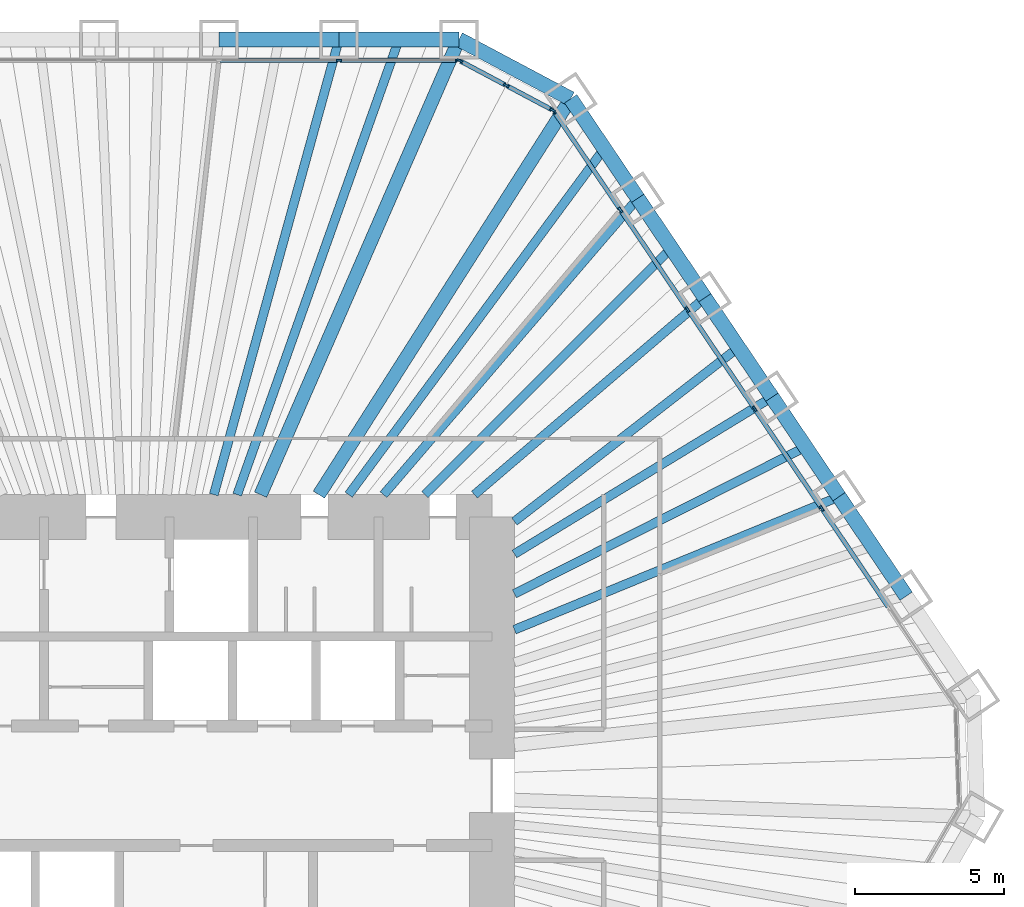
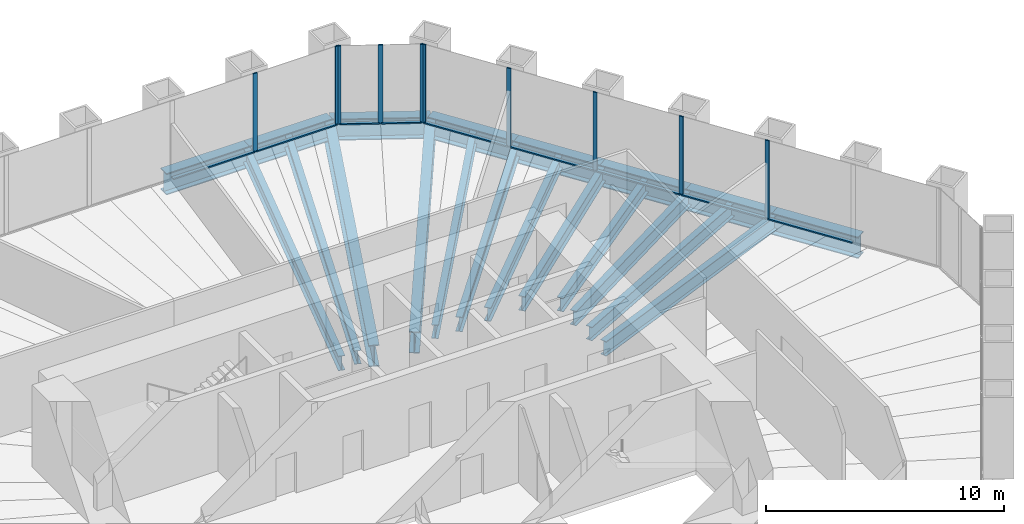
# One storey, part 7 of 13: 20 beams, 19 members, 3 elements without a shape of their own.
"""IFC4 building model written with IfcOpenShell, lengths in metres."""

from ifc_helpers import new_model, si_unit, direction, frame, origin, origin_2d, place, context, subcontext, project, spatial, rectangle, i_section, extrude, material, material_profile, profile_set, type_object, element, aggregate, save


model = new_model("IFC4")

# Units and contexts
model_context = context("Model", 3, precision=1e-05, world=origin(), true_north=direction((0.0, 1.0)))
body_context = subcontext(model_context, "Body", "Model", "MODEL_VIEW")
ifc_project = project(units=[si_unit("LENGTHUNIT", "METRE"), si_unit("AREAUNIT", "SQUARE_METRE"), si_unit("VOLUMEUNIT", "CUBIC_METRE"), si_unit("PLANEANGLEUNIT", "RADIAN"), si_unit("MASSUNIT", "GRAM", prefix="KILO")], contexts=[model_context])

# Site, building, storey
site_placement = place(None, origin())
site = spatial("IfcSite", under=ifc_project, at=site_placement, CompositionType="ELEMENT")
building_placement = place(site_placement, origin())
building = spatial("IfcBuilding", under=site, at=building_placement, Name="Qingtian Harvest Tower", CompositionType="ELEMENT")
storey_placement = place(building_placement, frame((0.0, 0.0, 166.0)))
storey = spatial("IfcBuildingStorey", under=building, at=storey_placement, Name="L35", CompositionType="ELEMENT", Elevation=166.0)

# Beams
ifc_material_1 = material(Name="Steel SM570MC", Category="steel")
ifc_material_profile_1 = material_profile(ifc_material_1, i_section(OverallWidth=0.449951171875, OverallDepth=1.10009765625, WebThickness=0.02197265625, FlangeThickness=0.044921875, at=origin_2d()), Name="H1100x450x22x45")
ifc_profile_set_1 = profile_set([ifc_material_profile_1], Name="Steel SM570MC")
beam_type_1 = type_object("IfcBeamType", Name="Corner floor beam FB8 H1100x450x22x45", PredefinedType="BEAM", material=ifc_profile_set_1)
beam_1_placement = place(storey_placement, frame((10.892822265625, 25.0, -0.719970703125), z_axis=(-0.399451016538, -0.916754539333, 0.0), x_axis=(0.916754539333, -0.399451016538, 0.0)))
element("IfcBeam", 1, at=beam_1_placement, inside=storey, type_object=beam_type_1, Name="Floor beam FB8 N6", PredefinedType="BEAM", context=body_context, shape_type="SweptSolid", body=[
    extrude(i_section(OverallWidth=0.449951171875, OverallDepth=1.10009765625, WebThickness=0.02197265625, FlangeThickness=0.044921875, at=origin_2d()), origin(), (0.0, 0.0, 1.0), 16.634765625),
])
beam_2_placement = place(storey_placement, frame((14.634765625, 23.01025390625, -0.719970703125), z_axis=(-0.536660352939, -0.843798355997, 0.0), x_axis=(0.843798355997, -0.536660352939, 0.0)))
element("IfcBeam", 2, at=beam_2_placement, inside=storey, type_object=beam_type_1, Name="Floor beam FB8 NE0", PredefinedType="BEAM", context=body_context, shape_type="SweptSolid", body=[
    extrude(i_section(OverallWidth=0.449951171875, OverallDepth=1.10009765625, WebThickness=0.02197265625, FlangeThickness=0.044921875, at=origin_2d()), origin(), (0.0, 0.0, 1.0), 15.71484375),
])
ifc_material_2 = material(Name="Steel SN490B", Category="steel")
ifc_material_profile_2 = material_profile(ifc_material_2, i_section(OverallWidth=0.300048828125, OverallDepth=0.75, WebThickness=0.013916015625, FlangeThickness=0.02490234375, at=origin_2d()), Name="H750x300x14x25")
ifc_profile_set_2 = profile_set([ifc_material_profile_2], Name="Steel SN490B")
beam_type_2 = type_object("IfcBeamType", Name="Floor beam FB12 H750x300x14x25", PredefinedType="BEAM", material=ifc_profile_set_2)
beam_3_placement = place(storey_placement, frame((6.873779296875, 25.0, -0.544921875), z_axis=(-0.265119170108, -0.964215653078, 0.0), x_axis=(0.964215653078, -0.265119170108, 0.0)))
element("IfcBeam", 3, at=beam_3_placement, inside=storey, type_object=beam_type_2, Name="Floor beam FB12 N5", PredefinedType="BEAM", context=body_context, shape_type="SweptSolid", body=[
    extrude(i_section(OverallWidth=0.300048828125, OverallDepth=0.75, WebThickness=0.013916015625, FlangeThickness=0.02490234375, at=origin_2d()), origin(), (0.0, 0.0, 1.0), 15.81591796875),
])
beam_4_placement = place(storey_placement, frame((16.88232421875, 19.67822265625, -0.544921875), z_axis=(-0.651140196702, -0.758957471957, 0.0), x_axis=(0.758957471957, -0.651140196702, 0.0)))
element("IfcBeam", 4, at=beam_4_placement, inside=storey, type_object=beam_type_2, Name="Floor beam FB12 NE1", PredefinedType="BEAM", context=body_context, shape_type="SweptSolid", body=[
    extrude(i_section(OverallWidth=0.300048828125, OverallDepth=0.75, WebThickness=0.013916015625, FlangeThickness=0.02490234375, at=origin_2d()), origin(), (0.0, 0.0, 1.0), 13.081298828125),
])
beam_5_placement = place(storey_placement, frame((19.129638671875, 16.346435546875, -0.544921875), z_axis=(-0.760241810635, -0.649640199928, 0.0), x_axis=(0.649640199928, -0.760241810635, 0.0)))
element("IfcBeam", 5, at=beam_5_placement, inside=storey, type_object=beam_type_2, Name="Floor beam FB12 NE2", PredefinedType="BEAM", context=body_context, shape_type="SweptSolid", body=[
    extrude(i_section(OverallWidth=0.300048828125, OverallDepth=0.75, WebThickness=0.013916015625, FlangeThickness=0.02490234375, at=origin_2d()), origin(), (0.0, 0.0, 1.0), 10.154052734375),
])
beam_6_placement = place(storey_placement, frame((21.377197265625, 13.014404296875, -0.544921875), z_axis=(-0.854160745245, -0.520009058846, 0.0), x_axis=(0.520009058846, -0.854160745245, 0.0)))
element("IfcBeam", 6, at=beam_6_placement, inside=storey, type_object=beam_type_2, Name="Floor beam FB12 NE3", PredefinedType="BEAM", context=body_context, shape_type="SweptSolid", body=[
    extrude(i_section(OverallWidth=0.300048828125, OverallDepth=0.75, WebThickness=0.013916015625, FlangeThickness=0.02490234375, at=origin_2d()), origin(), (0.0, 0.0, 1.0), 10.10009765625),
])
beam_7_placement = place(storey_placement, frame((23.62451171875, 9.682373046875, -0.544921875), z_axis=(-0.925304541163, -0.379224875375, 0.0), x_axis=(0.379224875375, -0.925304541163, 0.0)))
element("IfcBeam", 7, at=beam_7_placement, inside=storey, type_object=beam_type_2, Name="Floor beam FB12 NE4", PredefinedType="BEAM", context=body_context, shape_type="SweptSolid", body=[
    extrude(i_section(OverallWidth=0.300048828125, OverallDepth=0.75, WebThickness=0.013916015625, FlangeThickness=0.02490234375, at=origin_2d()), origin(), (0.0, 0.0, 1.0), 11.75244140625),
])
ifc_material_3 = material(Name="Steel SN490B", Category="steel")
ifc_material_profile_3 = material_profile(ifc_material_3, i_section(OverallWidth=0.300048828125, OverallDepth=0.699951171875, WebThickness=0.012939453125, FlangeThickness=0.02392578125, at=origin_2d()), Name="H700x300x13x24")
ifc_profile_set_3 = profile_set([ifc_material_profile_3], Name="Steel SN490B")
beam_type_3 = type_object("IfcBeamType", Name="Floor joist J2 H700x300x13x24", PredefinedType="JOIST", material=ifc_profile_set_3)
beam_8_placement = place(storey_placement, frame((8.88330078125, 25.0, -0.52001953125), z_axis=(-0.334829909573, -0.94227858495, 0.0), x_axis=(0.94227858495, -0.334829909573, 0.0)))
element("IfcBeam", 8, at=beam_8_placement, inside=storey, type_object=beam_type_3, Name="Floor joist J2 N5", PredefinedType="JOIST", context=body_context, shape_type="SweptSolid", body=[
    extrude(i_section(OverallWidth=0.300048828125, OverallDepth=0.699951171875, WebThickness=0.012939453125, FlangeThickness=0.02392578125, at=origin_2d()), origin(), (0.0, 0.0, 1.0), 16.18408203125),
])
beam_9_placement = place(storey_placement, frame((15.758544921875, 21.34423828125, -0.52001953125), z_axis=(-0.593960386058, -0.804494288229, 0.0), x_axis=(0.804494288229, -0.593960386058, 0.0)))
element("IfcBeam", 9, at=beam_9_placement, inside=storey, type_object=beam_type_3, Name="Floor joist J2 NE0", PredefinedType="JOIST", context=body_context, shape_type="SweptSolid", body=[
    extrude(i_section(OverallWidth=0.300048828125, OverallDepth=0.699951171875, WebThickness=0.012939453125, FlangeThickness=0.02392578125, at=origin_2d()), origin(), (0.0, 0.0, 1.0), 14.411865234375),
])
beam_10_placement = place(storey_placement, frame((18.005859375, 18.012451171875, -0.52001953125), z_axis=(-0.706970932755, -0.707242603524, 0.0), x_axis=(0.707242603524, -0.706970932755, 0.0)))
element("IfcBeam", 10, at=beam_10_placement, inside=storey, type_object=beam_type_3, Name="Floor joist J2 NE1", PredefinedType="JOIST", context=body_context, shape_type="SweptSolid", body=[
    extrude(i_section(OverallWidth=0.300048828125, OverallDepth=0.699951171875, WebThickness=0.012939453125, FlangeThickness=0.02392578125, at=origin_2d()), origin(), (0.0, 0.0, 1.0), 11.6826171875),
])
beam_11_placement = place(storey_placement, frame((20.25341796875, 14.680419921875, -0.52001953125), z_axis=(-0.789641272199, -0.61356879096, 0.0), x_axis=(0.61356879096, -0.789641272199, 0.0)))
element("IfcBeam", 11, at=beam_11_placement, inside=storey, type_object=beam_type_3, Name="Floor joist J2 NE2", PredefinedType="JOIST", context=body_context, shape_type="SweptSolid", body=[
    extrude(i_section(OverallWidth=0.300048828125, OverallDepth=0.699951171875, WebThickness=0.012939453125, FlangeThickness=0.02392578125, at=origin_2d()), origin(), (0.0, 0.0, 1.0), 9.502197265625),
])
beam_12_placement = place(storey_placement, frame((22.500732421875, 11.348388671875, -0.52001953125), z_axis=(-0.892861323685, -0.450331718478, 0.0), x_axis=(0.450331718478, -0.892861323685, 0.0)))
element("IfcBeam", 12, at=beam_12_placement, inside=storey, type_object=beam_type_3, Name="Floor joist J2 NE3", PredefinedType="JOIST", context=body_context, shape_type="SweptSolid", body=[
    extrude(i_section(OverallWidth=0.300048828125, OverallDepth=0.699951171875, WebThickness=0.012939453125, FlangeThickness=0.02392578125, at=origin_2d()), origin(), (0.0, 0.0, 1.0), 10.920654296875),
])

# Curtain wall, members
ifc_material_4 = material(Name="Bronze-anodised aluminium curtain wall", Category="aluminium")
curtain_wall_type = type_object("IfcCurtainWallType", Name="Curtain wall CW4 office", PredefinedType="USERDEFINED", material=ifc_material_4)
curtain_wall_1_placement = place(storey_placement, origin())
curtain_wall_1 = element("IfcCurtainWall", 13, at=curtain_wall_1_placement, inside=storey, type_object=curtain_wall_type, Name="Curtain wall CW4 L35 N0-5", ObjectType="RECESSED CURTAIN WALL", PredefinedType="USERDEFINED")
ifc_material_5 = material(Name="Bronze-anodised aluminium mullion", Category="aluminium")
ifc_material_profile_4 = material_profile(ifc_material_5, rectangle(XDim=0.06494140625, YDim=0.199951171875, at=origin_2d()), Name="AL 65x200")
ifc_profile_set_4 = profile_set([ifc_material_profile_4], Name="Bronze-anodised aluminium mullion")
member_type_1 = type_object("IfcMemberType", Name="Mullion CWM 65x200", PredefinedType="MULLION", material=ifc_profile_set_4)
member_1_placement = place(storey_placement, frame((6.873779296875, 24.300048828125, 0.0), z_axis=(0.0, 0.0, 1.0), x_axis=(0.0, 1.0, 0.0)))
member_1 = element("IfcMember", 14, at=member_1_placement, type_object=member_type_1, Name="CW4 mullion 6", PredefinedType="MULLION", context=body_context, shape_type="SweptSolid", body=[
    extrude(rectangle(XDim=0.06494140625, YDim=0.199951171875, at=origin_2d()), origin(), (0.0, 0.0, 1.0), 4.030029296875),
])
member_2_placement = place(storey_placement, frame((10.8603515625, 24.300048828125, 0.0), z_axis=(0.0, 0.0, 1.0), x_axis=(0.0, 1.0, 0.0)))
member_2 = element("IfcMember", 15, at=member_2_placement, type_object=member_type_1, Name="CW4 mullion 7", PredefinedType="MULLION", context=body_context, shape_type="SweptSolid", body=[
    extrude(rectangle(XDim=0.06494140625, YDim=0.199951171875, at=origin_2d()), origin(), (0.0, 0.0, 1.0), 4.030029296875),
])

curtain_wall_2_placement = place(storey_placement, origin())
curtain_wall_2 = element("IfcCurtainWall", 16, at=curtain_wall_2_placement, inside=storey, type_object=curtain_wall_type, Name="Curtain wall CW4 L35 NC", ObjectType="RECESSED CURTAIN WALL", PredefinedType="USERDEFINED")
member_3_placement = place(storey_placement, frame((10.92138671875, 24.28466796875, 0.0), z_axis=(0.0, 0.0, 1.0), x_axis=(0.469471562786, 0.882947592859, 0.0)))
member_3 = element("IfcMember", 17, at=member_3_placement, type_object=member_type_1, Name="CW4 mullion 1", PredefinedType="MULLION", context=body_context, shape_type="SweptSolid", body=[
    extrude(rectangle(XDim=0.06494140625, YDim=0.199951171875, at=origin_2d()), origin(), (0.0, 0.0, 1.0), 4.030029296875),
])
member_4_placement = place(storey_placement, frame((12.4736328125, 23.45947265625, 0.0), z_axis=(0.0, 0.0, 1.0), x_axis=(0.469471562786, 0.882947592859, 0.0)))
member_4 = element("IfcMember", 18, at=member_4_placement, type_object=member_type_1, Name="CW4 mullion 2", PredefinedType="MULLION", context=body_context, shape_type="SweptSolid", body=[
    extrude(rectangle(XDim=0.06494140625, YDim=0.199951171875, at=origin_2d()), origin(), (0.0, 0.0, 1.0), 4.030029296875),
])
member_5_placement = place(storey_placement, frame((14.02587890625, 22.634033203125, 0.0), z_axis=(0.0, 0.0, 1.0), x_axis=(0.469471562786, 0.882947592859, 0.0)))
member_5 = element("IfcMember", 19, at=member_5_placement, type_object=member_type_1, Name="CW4 mullion 3", PredefinedType="MULLION", context=body_context, shape_type="SweptSolid", body=[
    extrude(rectangle(XDim=0.06494140625, YDim=0.199951171875, at=origin_2d()), origin(), (0.0, 0.0, 1.0), 4.030029296875),
])

curtain_wall_3_placement = place(storey_placement, origin())
curtain_wall_3 = element("IfcCurtainWall", 20, at=curtain_wall_3_placement, inside=storey, type_object=curtain_wall_type, Name="Curtain wall CW4 L35 NE0-5", ObjectType="RECESSED CURTAIN WALL", PredefinedType="USERDEFINED")
member_6_placement = place(storey_placement, frame((14.07275390625, 22.592041015625, 0.0), z_axis=(0.0, 0.0, 1.0), x_axis=(0.829037572555, 0.559192903471, 0.0)))
member_6 = element("IfcMember", 21, at=member_6_placement, type_object=member_type_1, Name="CW4 mullion 1", PredefinedType="MULLION", context=body_context, shape_type="SweptSolid", body=[
    extrude(rectangle(XDim=0.06494140625, YDim=0.199951171875, at=origin_2d()), origin(), (0.0, 0.0, 1.0), 4.030029296875),
])
member_7_placement = place(storey_placement, frame((16.302001953125, 19.286865234375, 0.0), z_axis=(0.0, 0.0, 1.0), x_axis=(0.829037572555, 0.559192903471, 0.0)))
member_7 = element("IfcMember", 22, at=member_7_placement, type_object=member_type_1, Name="CW4 mullion 2", PredefinedType="MULLION", context=body_context, shape_type="SweptSolid", body=[
    extrude(rectangle(XDim=0.06494140625, YDim=0.199951171875, at=origin_2d()), origin(), (0.0, 0.0, 1.0), 4.030029296875),
])
member_8_placement = place(storey_placement, frame((18.54931640625, 15.954833984375, 0.0), z_axis=(0.0, 0.0, 1.0), x_axis=(0.829037572555, 0.559192903471, 0.0)))
member_8 = element("IfcMember", 23, at=member_8_placement, type_object=member_type_1, Name="CW4 mullion 3", PredefinedType="MULLION", context=body_context, shape_type="SweptSolid", body=[
    extrude(rectangle(XDim=0.06494140625, YDim=0.199951171875, at=origin_2d()), origin(), (0.0, 0.0, 1.0), 4.030029296875),
])
member_9_placement = place(storey_placement, frame((20.796875, 12.623046875, 0.0), z_axis=(0.0, 0.0, 1.0), x_axis=(0.829037572555, 0.559192903471, 0.0)))
member_9 = element("IfcMember", 24, at=member_9_placement, type_object=member_type_1, Name="CW4 mullion 4", PredefinedType="MULLION", context=body_context, shape_type="SweptSolid", body=[
    extrude(rectangle(XDim=0.06494140625, YDim=0.199951171875, at=origin_2d()), origin(), (0.0, 0.0, 1.0), 4.030029296875),
])
member_10_placement = place(storey_placement, frame((23.044189453125, 9.291015625, 0.0), z_axis=(0.0, 0.0, 1.0), x_axis=(0.829037572555, 0.559192903471, 0.0)))
member_10 = element("IfcMember", 25, at=member_10_placement, type_object=member_type_1, Name="CW4 mullion 5", PredefinedType="MULLION", context=body_context, shape_type="SweptSolid", body=[
    extrude(rectangle(XDim=0.06494140625, YDim=0.199951171875, at=origin_2d()), origin(), (0.0, 0.0, 1.0), 4.030029296875),
])

# Beams
ifc_material_6 = material(Name="Steel SM570MC", Category="steel")
ifc_material_profile_5 = material_profile(ifc_material_6, i_section(OverallWidth=0.5, OverallDepth=1.10009765625, WebThickness=0.02490234375, FlangeThickness=0.050048828125, at=origin_2d()), Name="H1100x500x25x50")
ifc_profile_set_5 = profile_set([ifc_material_profile_5], Name="Steel SM570MC")
beam_type_4 = type_object("IfcBeamType", Name="Spandrel beam SB2 H1100x500x25x50", PredefinedType="SPANDREL", material=ifc_profile_set_5)
beam_13_placement = place(storey_placement, frame((2.8544921875, 25.0, -0.550048828125), z_axis=(1.0, 0.0, 0.0), x_axis=(0.0, 1.0, 0.0)))
element("IfcBeam", 26, at=beam_13_placement, inside=storey, type_object=beam_type_4, Name="Spandrel SB2 N4", PredefinedType="SPANDREL", context=body_context, shape_type="SweptSolid", body=[
    extrude(i_section(OverallWidth=0.5, OverallDepth=1.10009765625, WebThickness=0.02490234375, FlangeThickness=0.050048828125, at=origin_2d()), origin(), (0.0, 0.0, 1.0), 4.019287109375),
])
beam_14_placement = place(storey_placement, frame((6.873779296875, 25.0, -0.550048828125), z_axis=(1.0, 0.0, 0.0), x_axis=(0.0, 1.0, 0.0)))
element("IfcBeam", 27, at=beam_14_placement, inside=storey, type_object=beam_type_4, Name="Spandrel SB2 N5", PredefinedType="SPANDREL", context=body_context, shape_type="SweptSolid", body=[
    extrude(i_section(OverallWidth=0.5, OverallDepth=1.10009765625, WebThickness=0.02490234375, FlangeThickness=0.050048828125, at=origin_2d()), origin(), (0.0, 0.0, 1.0), 4.01904296875),
])
beam_15_placement = place(storey_placement, frame((10.892822265625, 25.0, -0.550048828125), z_axis=(0.882935902835, -0.469493547863, 0.0), x_axis=(0.469493547863, 0.882935902835, 0.0)))
element("IfcBeam", 28, at=beam_15_placement, inside=storey, type_object=beam_type_4, Name="Spandrel SB2 NC", PredefinedType="SPANDREL", context=body_context, shape_type="SweptSolid", body=[
    extrude(i_section(OverallWidth=0.5, OverallDepth=1.10009765625, WebThickness=0.02490234375, FlangeThickness=0.050048828125, at=origin_2d()), origin(), (0.0, 0.0, 1.0), 4.238037109375),
])
beam_16_placement = place(storey_placement, frame((14.634765625, 23.01025390625, -0.550048828125), z_axis=(0.559205752254, -0.829028905796, 0.0), x_axis=(0.829028905796, 0.559205752254, 0.0)))
element("IfcBeam", 29, at=beam_16_placement, inside=storey, type_object=beam_type_4, Name="Spandrel SB2 NE0", PredefinedType="SPANDREL", context=body_context, shape_type="SweptSolid", body=[
    extrude(i_section(OverallWidth=0.5, OverallDepth=1.10009765625, WebThickness=0.02490234375, FlangeThickness=0.050048828125, at=origin_2d()), origin(), (0.0, 0.0, 1.0), 4.019287109375),
])
beam_17_placement = place(storey_placement, frame((16.88232421875, 19.67822265625, -0.550048828125), z_axis=(0.55919216322, -0.82903807186, 0.0), x_axis=(0.82903807186, 0.55919216322, 0.0)))
element("IfcBeam", 30, at=beam_17_placement, inside=storey, type_object=beam_type_4, Name="Spandrel SB2 NE1", PredefinedType="SPANDREL", context=body_context, shape_type="SweptSolid", body=[
    extrude(i_section(OverallWidth=0.5, OverallDepth=1.10009765625, WebThickness=0.02490234375, FlangeThickness=0.050048828125, at=origin_2d()), origin(), (0.0, 0.0, 1.0), 4.018798828125),
])
beam_18_placement = place(storey_placement, frame((19.129638671875, 16.346435546875, -0.550048828125), z_axis=(0.559205752254, -0.829028905796, 0.0), x_axis=(0.829028905796, 0.559205752254, 0.0)))
element("IfcBeam", 31, at=beam_18_placement, inside=storey, type_object=beam_type_4, Name="Spandrel SB2 NE2", PredefinedType="SPANDREL", context=body_context, shape_type="SweptSolid", body=[
    extrude(i_section(OverallWidth=0.5, OverallDepth=1.10009765625, WebThickness=0.02490234375, FlangeThickness=0.050048828125, at=origin_2d()), origin(), (0.0, 0.0, 1.0), 4.019287109375),
])
for number, where, z_axis, x_axis, name in (
    (32, (21.377197265625, 13.014404296875, -0.550048828125), (0.55916400171, -0.829057066306, 0.0), (0.829057066306, 0.55916400171, 0.0), "Spandrel SB2 NE3"),
    (33, (23.62451171875, 9.682373046875, -0.550048828125), (0.559233913953, -0.829009909159, 0.0), (0.829009909159, 0.559233913953, 0.0), "Spandrel SB2 NE4"),
):
    element("IfcBeam", number, at=place(storey_placement, frame(where, z_axis=z_axis, x_axis=x_axis)), inside=storey, type_object=beam_type_4, Name=name, PredefinedType="SPANDREL", context=body_context, shape_type="SweptSolid", body=[
        extrude(i_section(OverallWidth=0.5, OverallDepth=1.10009765625, WebThickness=0.02490234375, FlangeThickness=0.050048828125, at=origin_2d()), origin(), (0.0, 0.0, 1.0), 4.01904296875),
    ])

# Member
ifc_material_7 = material(Name="Bronze-anodised aluminium transom", Category="aluminium")
ifc_material_profile_6 = material_profile(ifc_material_7, rectangle(XDim=0.14990234375, YDim=0.06494140625, at=origin_2d()), Name="AL 65x150")
ifc_profile_set_6 = profile_set([ifc_material_profile_6], Name="Bronze-anodised aluminium transom")
member_type_2 = type_object("IfcMemberType", Name="Transom CWT 65x150", PredefinedType="USERDEFINED", material=ifc_profile_set_6)
member_11_placement = place(storey_placement, frame((2.886962890625, 24.300048828125, 0.032470703125), z_axis=(1.0, 0.0, 0.0), x_axis=(0.0, 1.0, 0.0)))
member_11 = element("IfcMember", 34, at=member_11_placement, type_object=member_type_2, Name="CW4 transom 5.1", ObjectType="TRANSOM", PredefinedType="USERDEFINED", context=body_context, shape_type="SweptSolid", body=[
    extrude(rectangle(XDim=0.14990234375, YDim=0.06494140625, at=origin_2d()), origin(), (0.0, 0.0, 1.0), 3.9541015625),
])

member_12_placement = place(storey_placement, frame((6.90625, 24.300048828125, 0.032470703125), z_axis=(1.0, 0.0, 0.0), x_axis=(0.0, 1.0, 0.0)))
member_12 = element("IfcMember", 35, at=member_12_placement, type_object=member_type_2, Name="CW4 transom 6.1", ObjectType="TRANSOM", PredefinedType="USERDEFINED", context=body_context, shape_type="SweptSolid", body=[
    extrude(rectangle(XDim=0.14990234375, YDim=0.06494140625, at=origin_2d()), origin(), (0.0, 0.0, 1.0), 3.92138671875),
])

aggregate(curtain_wall_1, [member_1, member_2, member_11, member_12])

member_13_placement = place(storey_placement, frame((10.9501953125, 24.26953125, 0.032470703125), z_axis=(0.882895287784, -0.469569921108, 0.0), x_axis=(0.469569921108, 0.882895287784, 0.0)))
member_13 = element("IfcMember", 36, at=member_13_placement, type_object=member_type_2, Name="CW4 transom 1.1", ObjectType="TRANSOM", PredefinedType="USERDEFINED", context=body_context, shape_type="SweptSolid", body=[
    extrude(rectangle(XDim=0.14990234375, YDim=0.06494140625, at=origin_2d()), origin(), (0.0, 0.0, 1.0), 1.69287109375),
])

member_14_placement = place(storey_placement, frame((12.502197265625, 23.444091796875, 0.032470703125), z_axis=(0.882986854304, -0.469397715297, 0.0), x_axis=(0.469397715297, 0.882986854304, 0.0)))
member_14 = element("IfcMember", 37, at=member_14_placement, type_object=member_type_2, Name="CW4 transom 2.1", ObjectType="TRANSOM", PredefinedType="USERDEFINED", context=body_context, shape_type="SweptSolid", body=[
    extrude(rectangle(XDim=0.14990234375, YDim=0.06494140625, at=origin_2d()), origin(), (0.0, 0.0, 1.0), 1.69287109375),
])

aggregate(curtain_wall_2, [member_3, member_4, member_5, member_13, member_14])

member_15_placement = place(storey_placement, frame((14.0908203125, 22.56494140625, 0.032470703125), z_axis=(0.55920336949, -0.82903051304, 0.0), x_axis=(0.82903051304, 0.55920336949, 0.0)))
member_15 = element("IfcMember", 38, at=member_15_placement, type_object=member_type_2, Name="CW4 transom 1.1", ObjectType="TRANSOM", PredefinedType="USERDEFINED", context=body_context, shape_type="SweptSolid", body=[
    extrude(rectangle(XDim=0.14990234375, YDim=0.06494140625, at=origin_2d()), origin(), (0.0, 0.0, 1.0), 3.92138671875),
])

member_16_placement = place(storey_placement, frame((16.320068359375, 19.260009765625, 0.032470703125), z_axis=(0.55920878069, -0.829026863014, 0.0), x_axis=(0.829026863014, 0.55920878069, 0.0)))
member_16 = element("IfcMember", 39, at=member_16_placement, type_object=member_type_2, Name="CW4 transom 2.1", ObjectType="TRANSOM", PredefinedType="USERDEFINED", context=body_context, shape_type="SweptSolid", body=[
    extrude(rectangle(XDim=0.14990234375, YDim=0.06494140625, at=origin_2d()), origin(), (0.0, 0.0, 1.0), 3.9541015625),
])

member_17_placement = place(storey_placement, frame((18.567626953125, 15.927978515625, 0.032470703125), z_axis=(0.559166343236, -0.82905548704, 0.0), x_axis=(0.82905548704, 0.559166343236, 0.0)))
member_17 = element("IfcMember", 40, at=member_17_placement, type_object=member_type_2, Name="CW4 transom 3.1", ObjectType="TRANSOM", PredefinedType="USERDEFINED", context=body_context, shape_type="SweptSolid", body=[
    extrude(rectangle(XDim=0.14990234375, YDim=0.06494140625, at=origin_2d()), origin(), (0.0, 0.0, 1.0), 3.9541015625),
])

member_18_placement = place(storey_placement, frame((20.81494140625, 12.595947265625, 0.032470703125), z_axis=(0.55920878069, -0.829026863014, 0.0), x_axis=(0.829026863014, 0.55920878069, 0.0)))
member_18 = element("IfcMember", 41, at=member_18_placement, type_object=member_type_2, Name="CW4 transom 4.1", ObjectType="TRANSOM", PredefinedType="USERDEFINED", context=body_context, shape_type="SweptSolid", body=[
    extrude(rectangle(XDim=0.14990234375, YDim=0.06494140625, at=origin_2d()), origin(), (0.0, 0.0, 1.0), 3.9541015625),
])

member_19_placement = place(storey_placement, frame((23.0625, 9.26416015625, 0.032470703125), z_axis=(0.559166343236, -0.82905548704, 0.0), x_axis=(0.82905548704, 0.559166343236, 0.0)))
member_19 = element("IfcMember", 42, at=member_19_placement, type_object=member_type_2, Name="CW4 transom 5.1", ObjectType="TRANSOM", PredefinedType="USERDEFINED", context=body_context, shape_type="SweptSolid", body=[
    extrude(rectangle(XDim=0.14990234375, YDim=0.06494140625, at=origin_2d()), origin(), (0.0, 0.0, 1.0), 3.9541015625),
])

aggregate(curtain_wall_3, [member_6, member_7, member_8, member_9, member_10, member_15, member_16, member_17, member_18, member_19])

save(model, "model.ifc")
